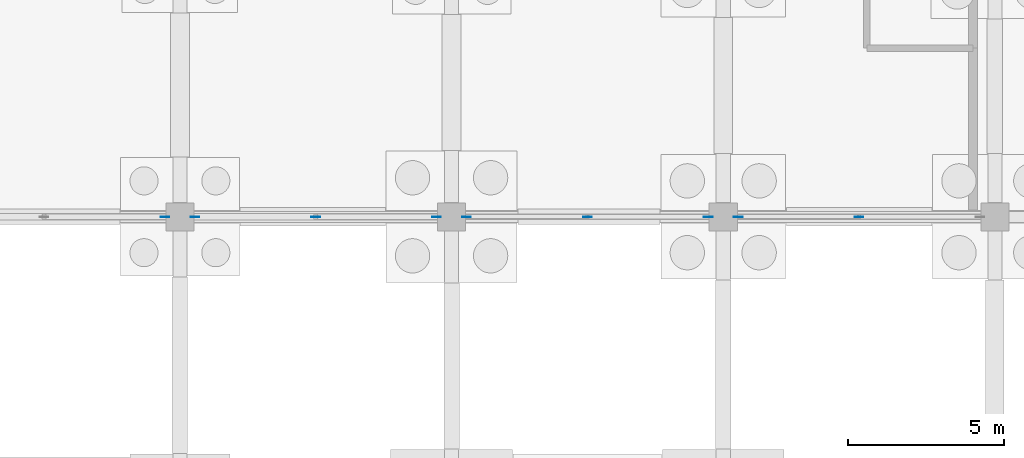
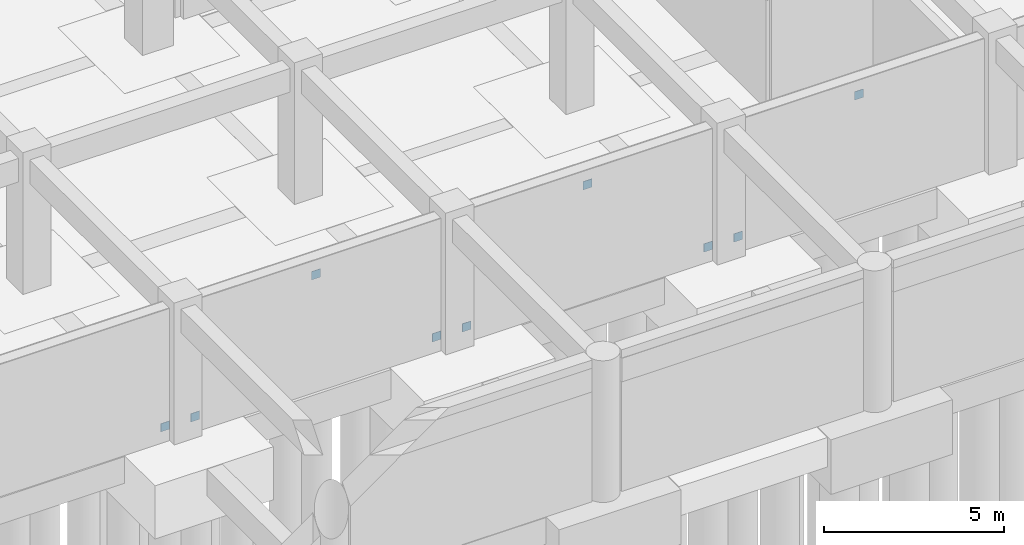
# One storey, part 22 of 33: 9 plates.
"""IFC4 building model written with IfcOpenShell, lengths in metres."""

import ifcopenshell
import ifcopenshell.guid

model = None  # the IFC model being written
_history = None  # IfcOwnerHistory: only IFC2X3 demands one
_inside = {}  # id of a spatial element -> (the spatial element, [elements in it])
_under = {}  # id of a project, library or spatial element -> (it, [spatial elements below it])
_declared = {}  # id of a project -> (the project, [libraries it declares])
_typed = {}  # id of a type object -> (the type object, [elements of that type])
_made_of = {}  # id of a material, layer set ... -> (it, [elements and type objects made of it])


def new_model(schema):
    """Start an empty IFC model of exactly this schema.

    Asked for "IFC4X3", IfcOpenShell would pick the latest addendum, in which some entities
    have other attributes; the version numbers below select the first issue.
    IFC2X3 requires an IfcOwnerHistory on every rooted entity: one is made here for all.
    """
    global model, _history
    if schema == "IFC4X3":
        model = ifcopenshell.file(schema_version=(4, 3, 0, 0))
    else:
        model = ifcopenshell.file(schema=schema)
    _inside.clear()
    _under.clear()
    _declared.clear()
    _typed.clear()
    _made_of.clear()
    _history = None
    if model.schema == "IFC2X3":
        org = make("IfcOrganization", Name="unknown")
        user = make(
            "IfcPersonAndOrganization",
            ThePerson=make("IfcPerson", FamilyName="unknown"),
            TheOrganization=org,
        )
        app = make(
            "IfcApplication",
            ApplicationDeveloper=org,
            Version="unknown",
            ApplicationFullName="unknown",
            ApplicationIdentifier="unknown",
        )
        _history = make(
            "IfcOwnerHistory",
            OwningUser=user,
            OwningApplication=app,
            ChangeAction="ADDED",
            CreationDate=0,
        )
    return model


def make(cls, **values):
    """One entity of the class cls with the attributes given. An attribute that is None is left unset."""
    return model.create_entity(
        cls, **{name: value for name, value in values.items() if value is not None}
    )


def rooted(cls, **values):
    """An entity with a GlobalId (a new one), such as an element, a storey or a relation."""
    return make(cls, GlobalId=ifcopenshell.guid.new(), OwnerHistory=_history, **values)


def si_unit(unit_type, name, prefix=None):
    """IfcSIUnit, for example si_unit("LENGTHUNIT", "METRE", prefix="MILLI")."""
    return make("IfcSIUnit", UnitType=unit_type, Prefix=prefix, Name=name)


def derived_unit(unit_type, elements):
    """IfcDerivedUnit: a product of units, each with its exponent."""
    return make(
        "IfcDerivedUnit",
        Elements=[
            make("IfcDerivedUnitElement", Unit=unit, Exponent=power)
            for unit, power in elements
        ],
        UnitType=unit_type,
    )


def assignment(units):
    """IfcUnitAssignment: the units of a project."""
    return None if units is None else make("IfcUnitAssignment", Units=units)


def point(xyz):
    """IfcCartesianPoint."""
    return None if xyz is None else make("IfcCartesianPoint", Coordinates=xyz)


def direction(xyz):
    """IfcDirection."""
    return None if xyz is None else make("IfcDirection", DirectionRatios=xyz)


def frame(location, z_axis=None, x_axis=None):
    """IfcAxis2Placement3D, a coordinate frame: its origin and axes. An axis left out is left unset."""
    return make(
        "IfcAxis2Placement3D",
        Location=point(location),
        Axis=direction(z_axis),
        RefDirection=direction(x_axis),
    )


def frame_2d(location, x_axis=None):
    """IfcAxis2Placement2D, a coordinate frame in the plane: its origin and x axis."""
    return make(
        "IfcAxis2Placement2D", Location=point(location), RefDirection=direction(x_axis)
    )


def origin():
    """The frame at (0, 0, 0) with its axes left unset."""
    return frame((0.0, 0.0, 0.0))


def origin_2d():
    """The frame at (0, 0) in the plane with its x axis left unset."""
    return frame_2d((0.0, 0.0))


def place(relative_to, where):
    """IfcLocalPlacement: puts the frame where relative to a parent placement (None: the world)."""
    return make(
        "IfcLocalPlacement", PlacementRelTo=relative_to, RelativePlacement=where
    )


def context(
    kind, dimensions, precision=None, world=None, true_north=None, identifier=None
):
    """IfcGeometricRepresentationContext, for example the 3D "Model" context."""
    return make(
        "IfcGeometricRepresentationContext",
        ContextIdentifier=identifier,
        ContextType=kind,
        CoordinateSpaceDimension=dimensions,
        Precision=precision,
        WorldCoordinateSystem=world,
        TrueNorth=true_north,
    )


def subcontext(parent, identifier, kind, view, scale=None):
    """IfcGeometricRepresentationSubContext, for example "Body" below "Model"."""
    return make(
        "IfcGeometricRepresentationSubContext",
        ContextIdentifier=identifier,
        ContextType=kind,
        ParentContext=parent,
        TargetScale=scale,
        TargetView=view,
    )


def project(units=None, contexts=None):
    """IfcProject with its units and contexts."""
    return rooted(
        "IfcProject",
        Name="project",
        RepresentationContexts=contexts,
        UnitsInContext=assignment(units),
    )


def spatial(cls, under=None, at=None, **own):
    """A site, building, storey or space (cls), placed at a placement, below another one or the project."""
    s = rooted(cls, ObjectPlacement=at, **own)
    if under is not None:
        _under.setdefault(under.id(), (under, []))[1].append(s)
    return s


def profile(cls, at=None, kind="AREA", **sizes):
    """A parametric profile (cls). Its sizes go by their IFC names, for example OverallWidth=200.0."""
    return make(cls, ProfileType=kind, Position=at, **sizes)


def rectangle(**sizes):
    """IfcRectangleProfileDef."""
    return profile("IfcRectangleProfileDef", **sizes)


def extrude(swept, where, along, depth):
    """IfcExtrudedAreaSolid: the profile swept, set in the frame where, extruded along a direction by depth."""
    return make(
        "IfcExtrudedAreaSolid",
        SweptArea=swept,
        Position=where,
        ExtrudedDirection=direction(along),
        Depth=depth,
    )


def shape(context_of_items, identifier, shape_type, items):
    """IfcShapeRepresentation: the items that make up one representation, for example the "Body"."""
    return make(
        "IfcShapeRepresentation",
        ContextOfItems=context_of_items,
        RepresentationIdentifier=identifier,
        RepresentationType=shape_type,
        Items=items,
    )


def material(Name=None, Category=None):
    """IfcMaterial."""
    return make("IfcMaterial", Name=Name, Category=Category)


def layer(
    of_material, thickness, ventilated=None, Name=None, Category=None, Priority=None
):
    """IfcMaterialLayer: one layer of a wall or slab, of a material (None: an air gap)."""
    return make(
        "IfcMaterialLayer",
        Material=of_material,
        LayerThickness=thickness,
        IsVentilated=ventilated,
        Name=Name,
        Category=Category,
        Priority=Priority,
    )


def layer_set(layers, Name=None):
    """IfcMaterialLayerSet."""
    return make("IfcMaterialLayerSet", MaterialLayers=layers, LayerSetName=Name)


def made_of(thing, what):
    """Note that an element or type object is made of a material, layer set ...; save() writes the relation."""
    if what is not None:
        _made_of.setdefault(what.id(), (what, []))[1].append(thing)
    return thing


def type_object(cls, material=None, **own):
    """A type object (cls), such as IfcWallType, which elements share."""
    return made_of(rooted(cls, **own), material)


def element(
    cls,
    number,
    at=None,
    inside=None,
    cuts=None,
    type_object=None,
    material=None,
    context=None,
    identifier="Body",
    shape_type=None,
    held_by="IfcProductDefinitionShape",
    body=None,
    shapes=None,
    **own,
):
    """One element of the class cls, such as IfcWall. Its Tag is "e" and its number.

    at: its placement. inside: the storey or other place that contains it. cuts: it is an
    opening in that element (IfcRelVoidsElement). A single representation is given by context,
    identifier, shape_type and body (its items); several are given by shapes. held_by: the class
    of the entity that holds the representations. save() writes the other relations.
    """
    e = rooted(cls, Tag="e%d" % number, ObjectPlacement=at, **own)
    if body is not None:
        shapes = [shape(context, identifier, shape_type, body)]
    if shapes is not None:
        e.Representation = make(held_by, Representations=shapes)
    if inside is not None:
        _inside.setdefault(inside.id(), (inside, []))[1].append(e)
    if cuts is not None:
        rooted(
            "IfcRelVoidsElement", RelatingBuildingElement=cuts, RelatedOpeningElement=e
        )
    if type_object is not None:
        _typed.setdefault(type_object.id(), (type_object, []))[1].append(e)
    return made_of(e, material)


def aggregate(whole, parts):
    """IfcRelAggregates: a whole, such as a stair, and the parts it consists of."""
    return rooted("IfcRelAggregates", RelatingObject=whole, RelatedObjects=parts)


def save(model, path):
    """Write the relations noted so far, then the file.

    IfcRelAggregates (storeys below a building ...), IfcRelContainedInSpatialStructure (elements
    in a storey), IfcRelDefinesByType, IfcRelAssociatesMaterial and IfcRelDeclares: one each for
    every whole, place, type object, material and project.
    """
    for whole, parts in _under.values():
        aggregate(whole, parts)
    for where, things in _inside.values():
        rooted(
            "IfcRelContainedInSpatialStructure",
            RelatedElements=things,
            RelatingStructure=where,
        )
    for kind, things in _typed.values():
        rooted("IfcRelDefinesByType", RelatedObjects=things, RelatingType=kind)
    for what, things in _made_of.values():
        rooted("IfcRelAssociatesMaterial", RelatedObjects=things, RelatingMaterial=what)
    for by, libraries in _declared.values():
        rooted("IfcRelDeclares", RelatingContext=by, RelatedDefinitions=libraries)
    model.write(path)


model = new_model("IFC4")

# Units and contexts
model_context = context("Model", 3, precision=1e-05, world=origin(), true_north=direction((0.0, 1.0)))
body_context = subcontext(model_context, "Body", "Model", "MODEL_VIEW")
ifc_project = project(units=[si_unit("LENGTHUNIT", "METRE"), si_unit("AREAUNIT", "SQUARE_METRE"), si_unit("VOLUMEUNIT", "CUBIC_METRE"), si_unit("PLANEANGLEUNIT", "RADIAN"), si_unit("MASSUNIT", "GRAM", prefix="KILO"), derived_unit("THERMALTRANSMITTANCEUNIT", [(si_unit("MASSUNIT", "GRAM", prefix="KILO"), 1), (si_unit("TIMEUNIT", "SECOND"), -3), (si_unit("THERMODYNAMICTEMPERATUREUNIT", "KELVIN"), -1)])], contexts=[model_context])

# Site, building, storey
site_placement = place(None, origin())
site = spatial("IfcSite", under=ifc_project, at=site_placement, CompositionType="ELEMENT")
building_placement = place(site_placement, origin())
building = spatial("IfcBuilding", under=site, at=building_placement, Name="Qinzheling Arcade Emporium", CompositionType="ELEMENT")
storey_placement = place(building_placement, frame((0.0, 0.0, -9.60009765625)))
storey = spatial("IfcBuildingStorey", under=building, at=storey_placement, Name="B2", CompositionType="ELEMENT", Elevation=-9.60009765625)

# Plates
ifc_material = material(Name="Structural steel Q355B", Category="steel")
ifc_layer = layer(ifc_material, 0.01611328125, Name="Structural steel Q355B", Category="steel")
ifc_layer_set = layer_set([ifc_layer], Name="Structural steel Q355B")
plate_type = type_object("IfcPlateType", Name="Structural Steel Brace Gusset Plate 16mm Q355B", PredefinedType="SHEET", material=ifc_layer_set)
for number, where, z_axis, x_axis, name in (
    (1, (34.320068359375, 8.39990234375, 0.22998046875), (0.0, 0.0, 1.0), (1.0, 0.0, 0.0), "Brace Gusset Plate PLT-GP-B2-014"),
    (2, (35.280029296875, 8.39990234375, 0.22998046875), (0.0, 0.0, 1.0), (1.0, 0.0, 0.0), "Brace Gusset Plate PLT-GP-B2-016"),
    (3, (43.02001953125, 8.39990234375, 0.22998046875), (0.0, 0.0, 1.0), (1.0, 0.0, 0.0), "Brace Gusset Plate PLT-GP-B2-017"),
    (4, (39.14990234375, 8.39990234375, 3.68994140625), (0.0, 0.0, 1.0), (1.0, 0.0, 0.0), "Brace Gusset Plate PLT-GP-B2-018"),
    (5, (43.97998046875, 8.39990234375, 0.22998046875), (0.0, 0.0, 1.0), (1.0, 0.0, 0.0), "Brace Gusset Plate PLT-GP-B2-025"),
    (6, (51.719970703125, 8.39990234375, 0.22998046875), (0.0, 0.0, 1.0), (1.0, 0.0, 0.0), "Brace Gusset Plate PLT-GP-B2-026"),
    (7, (47.85009765625, 8.39990234375, 3.68994140625), (0.0, 0.0, 1.0), (1.0, 0.0, 0.0), "Brace Gusset Plate PLT-GP-B2-027"),
    (8, (52.679931640625, 8.39990234375, 0.22998046875), (0.0, 0.0, 1.0), (1.0, 0.0, 0.0), "Brace Gusset Plate PLT-GP-B2-031"),
    (9, (56.550048828125, 8.39990234375, 3.68994140625), (0.0, 0.0, 1.0), (1.0, 0.0, 0.0), "Brace Gusset Plate PLT-GP-B2-033"),
):
    element("IfcPlate", number, at=place(storey_placement, frame(where, z_axis=z_axis, x_axis=x_axis)), inside=storey, type_object=plate_type, Name=name, PredefinedType="SHEET", context=body_context, shape_type="SweptSolid", body=[
        extrude(rectangle(XDim=0.280029296875, YDim=0.01611328125, at=origin_2d()), origin(), (0.0, 0.0, 1.0), 0.280029296875),
    ])

save(model, "model.ifc")
